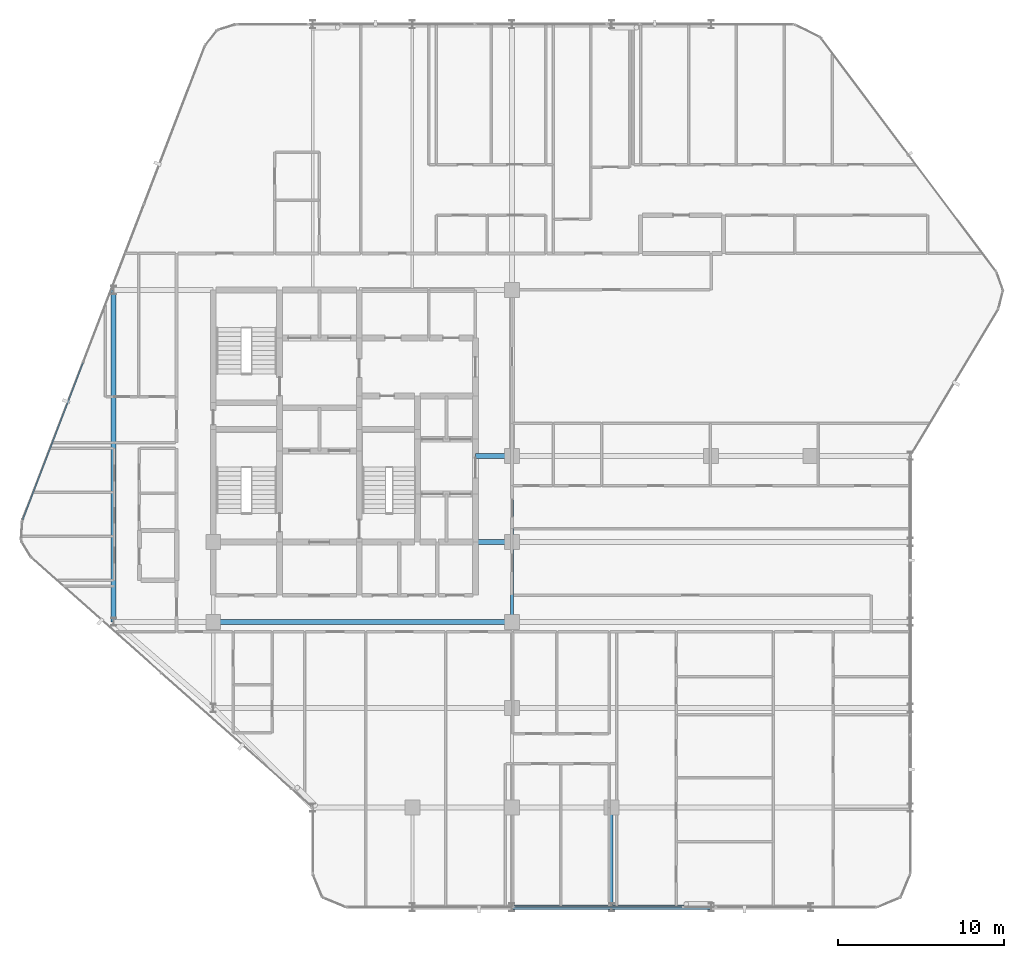
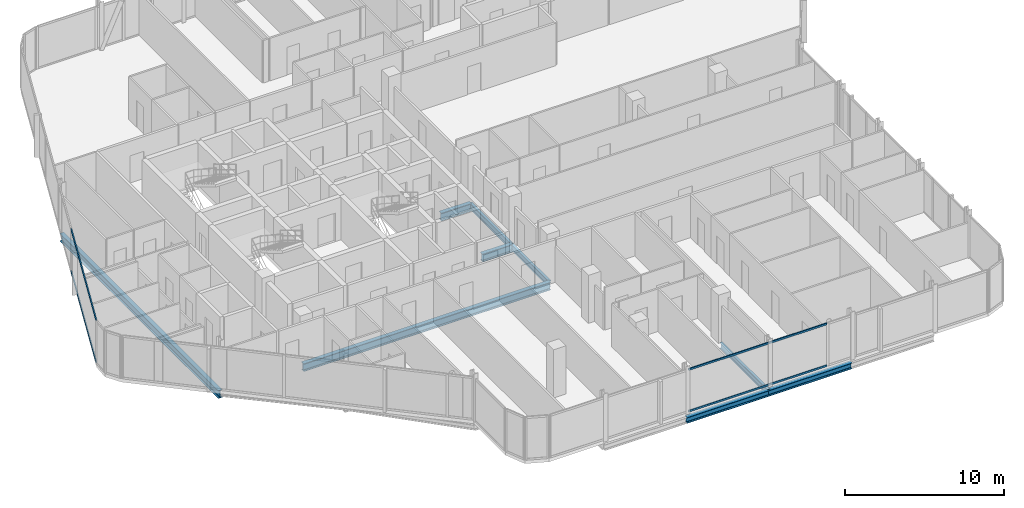
# One storey, part 8 of 31: 9 beams, 4 members, 2 elements without a shape of their own.
"""IFC4 building model written with IfcOpenShell, lengths in metres."""

from ifc_helpers import new_model, si_unit, direction, frame, origin, origin_2d, place, context, subcontext, project, spatial, hollow_rectangle, i_section, extrude, material, layer, layer_set, material_profile, profile_set, type_object, element, aggregate, save


model = new_model("IFC4")

# Units and contexts
model_context = context("Model", 3, precision=1e-05, world=origin(), true_north=direction((0.0, 1.0)))
body_context = subcontext(model_context, "Body", "Model", "MODEL_VIEW")
ifc_project = project(units=[si_unit("LENGTHUNIT", "METRE"), si_unit("AREAUNIT", "SQUARE_METRE"), si_unit("VOLUMEUNIT", "CUBIC_METRE"), si_unit("PLANEANGLEUNIT", "RADIAN"), si_unit("MASSUNIT", "GRAM", prefix="KILO")], contexts=[model_context])

# Site, building, storey
site_placement = place(None, origin())
site = spatial("IfcSite", under=ifc_project, at=site_placement, CompositionType="ELEMENT")
building_placement = place(site_placement, origin())
building = spatial("IfcBuilding", under=site, at=building_placement, Name="Keshet Zoharim Tower", CompositionType="ELEMENT")
storey_placement = place(building_placement, frame((0.0, 0.0, 155.699951171875)))
storey = spatial("IfcBuildingStorey", under=building, at=storey_placement, Name="L38", CompositionType="ELEMENT", Elevation=155.699951171875)

# Beams
ifc_material_1 = material(Name="Steel S355", Category="steel")
ifc_material_profile_1 = material_profile(ifc_material_1, i_section(OverallWidth=0.300048828125, OverallDepth=0.60009765625, WebThickness=0.015380859375, FlangeThickness=0.030029296875, FilletRadius=0.027099609375, at=origin_2d()), Name="HEB600")
ifc_profile_set_1 = profile_set([ifc_material_profile_1], Name="Steel S355")
beam_type_1 = type_object("IfcBeamType", Name="BM-CLK-HB600", PredefinedType="BEAM", material=ifc_profile_set_1)
for number, where, z_axis, x_axis, name in (
    (1, (30.800048828125, 22.699951171875, -0.614990234375), (1.0, 0.0, 0.0), (0.0, 1.0, 0.0), "L38 Core Wall Link Girder 01"),
    (2, (30.800048828125, 27.89990234375, -0.614990234375), (1.0, 0.0, 0.0), (0.0, 1.0, 0.0), "L38 Core Wall Link Girder 02"),
):
    element("IfcBeam", number, at=place(storey_placement, frame(where, z_axis=z_axis, x_axis=x_axis)), inside=storey, type_object=beam_type_1, Name=name, PredefinedType="BEAM", context=body_context, shape_type="SweptSolid", body=[
        extrude(i_section(OverallWidth=0.300048828125, OverallDepth=0.60009765625, WebThickness=0.015380859375, FlangeThickness=0.030029296875, FilletRadius=0.027099609375, at=origin_2d()), origin(), (0.0, 0.0, 1.0), 2.199951171875),
    ])
ifc_material_profile_2 = material_profile(ifc_material_1, i_section(OverallWidth=0.300048828125, OverallDepth=0.60009765625, WebThickness=0.015380859375, FlangeThickness=0.030029296875, FilletRadius=0.027099609375, at=origin_2d()), Name="HEB600")
ifc_profile_set_2 = profile_set([ifc_material_profile_2], Name="Steel S355")
beam_type_2 = type_object("IfcBeamType", Name="BM-LNG-HB600", PredefinedType="BEAM", material=ifc_profile_set_2)
beam_1_placement = place(storey_placement, frame((15.0, 17.89990234375, -0.614990234375), z_axis=(1.0, 0.0, 0.0), x_axis=(0.0, 1.0, 0.0)))
element("IfcBeam", 3, at=beam_1_placement, inside=storey, type_object=beam_type_2, Name="L38 Primary Girder X-012", PredefinedType="BEAM", context=body_context, shape_type="SweptSolid", body=[
    extrude(i_section(OverallWidth=0.300048828125, OverallDepth=0.60009765625, WebThickness=0.015380859375, FlangeThickness=0.030029296875, FilletRadius=0.027099609375, at=origin_2d()), origin(), (0.0, 0.0, 1.0), 18.0),
])
beam_2_placement = place(storey_placement, frame((9.0, 17.89990234375, -0.614990234375), z_axis=(0.0, 1.0, 0.0), x_axis=(-1.0, 0.0, 0.0)))
element("IfcBeam", 4, at=beam_2_placement, inside=storey, type_object=beam_type_2, Name="L38 Primary Girder Y-001", PredefinedType="BEAM", context=body_context, shape_type="SweptSolid", body=[
    extrude(i_section(OverallWidth=0.300048828125, OverallDepth=0.60009765625, WebThickness=0.015380859375, FlangeThickness=0.030029296875, FilletRadius=0.027099609375, at=origin_2d()), origin(), (0.0, 0.0, 1.0), 20.0),
])
ifc_material_profile_3 = material_profile(ifc_material_1, i_section(OverallWidth=0.18994140625, OverallDepth=0.449951171875, WebThickness=0.009521484375, FlangeThickness=0.0146484375, FilletRadius=0.02099609375, at=origin_2d()), Name="IPE450")
ifc_profile_set_3 = profile_set([ifc_material_profile_3], Name="Steel S355")
beam_type_3 = type_object("IfcBeamType", Name="BM-PRI-IP450", PredefinedType="BEAM", material=ifc_profile_set_3)
beam_3_placement = place(storey_placement, frame((33.0, 17.89990234375, -0.5400390625), z_axis=(0.0, 1.0, 0.0), x_axis=(-1.0, 0.0, 0.0)))
element("IfcBeam", 5, at=beam_3_placement, inside=storey, type_object=beam_type_3, Name="L38 Primary Girder Y-008", PredefinedType="BEAM", context=body_context, shape_type="SweptSolid", body=[
    extrude(i_section(OverallWidth=0.18994140625, OverallDepth=0.449951171875, WebThickness=0.009521484375, FlangeThickness=0.0146484375, FilletRadius=0.02099609375, at=origin_2d()), origin(), (0.0, 0.0, 1.0), 4.800048828125),
])
beam_4_placement = place(storey_placement, frame((33.0, 22.699951171875, -0.5400390625), z_axis=(0.0, 1.0, 0.0), x_axis=(-1.0, 0.0, 0.0)))
element("IfcBeam", 6, at=beam_4_placement, inside=storey, type_object=beam_type_3, Name="L38 Primary Girder Y-009", PredefinedType="BEAM", context=body_context, shape_type="SweptSolid", body=[
    extrude(i_section(OverallWidth=0.18994140625, OverallDepth=0.449951171875, WebThickness=0.009521484375, FlangeThickness=0.0146484375, FilletRadius=0.02099609375, at=origin_2d()), origin(), (0.0, 0.0, 1.0), 5.199951171875),
])
beam_5_placement = place(storey_placement, frame((39.0, 0.699951171875, -0.5400390625), z_axis=(0.0, 1.0, 0.0), x_axis=(-1.0, 0.0, 0.0)))
element("IfcBeam", 7, at=beam_5_placement, inside=storey, type_object=beam_type_3, Name="L38 Primary Girder Y-012", PredefinedType="BEAM", context=body_context, shape_type="SweptSolid", body=[
    extrude(i_section(OverallWidth=0.18994140625, OverallDepth=0.449951171875, WebThickness=0.009521484375, FlangeThickness=0.0146484375, FilletRadius=0.02099609375, at=origin_2d()), origin(), (0.0, 0.0, 1.0), 6.0),
])
ifc_material_profile_4 = material_profile(ifc_material_1, i_section(OverallWidth=0.300048828125, OverallDepth=0.449951171875, WebThickness=0.013916015625, FlangeThickness=0.02587890625, FilletRadius=0.027099609375, at=origin_2d()), Name="HEB450")
ifc_profile_set_4 = profile_set([ifc_material_profile_4], Name="Steel S355")
beam_type_4 = type_object("IfcBeamType", Name="BM-WEB-HB450", PredefinedType="BEAM", material=ifc_profile_set_4)
for number, where, z_axis, x_axis, name in (
    (8, (33.0, 0.699951171875, -0.5400390625), (1.0, 0.0, 0.0), (0.0, 1.0, 0.0), "L38 Primary Girder X-002"),
    (9, (39.0, 0.699951171875, -0.5400390625), (1.0, 0.0, 0.0), (0.0, 1.0, 0.0), "L38 Primary Girder X-003"),
):
    element("IfcBeam", number, at=place(storey_placement, frame(where, z_axis=z_axis, x_axis=x_axis)), inside=storey, type_object=beam_type_4, Name=name, PredefinedType="BEAM", context=body_context, shape_type="SweptSolid", body=[
        extrude(i_section(OverallWidth=0.300048828125, OverallDepth=0.449951171875, WebThickness=0.013916015625, FlangeThickness=0.02587890625, FilletRadius=0.027099609375, at=origin_2d()), origin(), (0.0, 0.0, 1.0), 6.0),
    ])

# Curtain wall, members
ifc_material_2 = material(Name="Aluminium 6063-T6", Category="aluminium")
ifc_layer = layer(ifc_material_2, 0.159912109375)
ifc_layer_set = layer_set([ifc_layer], Name="Aluminium 6063-T6")
curtain_wall_type = type_object("IfcCurtainWallType", Name="CW-SYS-03", PredefinedType="NOTDEFINED", material=ifc_layer_set)
curtain_wall_1_placement = place(storey_placement, origin())
curtain_wall_1 = element("IfcCurtainWall", 10, at=curtain_wall_1_placement, inside=storey, type_object=curtain_wall_type, Name="L38 Unitised Curtain Wall 03 Part 3", PredefinedType="NOTDEFINED")
ifc_material_profile_5 = material_profile(ifc_material_2, hollow_rectangle(XDim=0.080078125, YDim=0.139892578125, WallThickness=0.00390625, at=origin_2d()), Name="TRN-80x140")
ifc_profile_set_5 = profile_set([ifc_material_profile_5], Name="Aluminium 6063-T6")
member_type = type_object("IfcMemberType", Name="CWT-T14", PredefinedType="USERDEFINED", material=ifc_profile_set_5)
member_1_placement = place(storey_placement, frame((43.252685546875, 0.699951171875, 0.03515625), z_axis=(-1.0, 0.0, 0.0), x_axis=(0.0, -1.0, 0.0)))
member_1 = element("IfcMember", 11, at=member_1_placement, type_object=member_type, Name="CW-03 transom 1.1", ObjectType="TRANSOM", PredefinedType="USERDEFINED", context=body_context, shape_type="SweptSolid", body=[
    extrude(hollow_rectangle(XDim=0.080078125, YDim=0.139892578125, WallThickness=0.00390625, at=origin_2d()), origin(), (0.0, 0.0, 1.0), 10.09130859375),
])
member_2_placement = place(storey_placement, frame((43.252685546875, 0.699951171875, 3.2451171875), z_axis=(-1.0, 0.0, 0.0), x_axis=(0.0, -1.0, 0.0)))
member_2 = element("IfcMember", 12, at=member_2_placement, type_object=member_type, Name="CW-03 transom 1.2", ObjectType="TRANSOM", PredefinedType="USERDEFINED", context=body_context, shape_type="SweptSolid", body=[
    extrude(hollow_rectangle(XDim=0.080078125, YDim=0.139892578125, WallThickness=0.00390625, at=origin_2d()), origin(), (0.0, 0.0, 1.0), 10.09130859375),
])
aggregate(curtain_wall_1, [member_1, member_2])

curtain_wall_2_placement = place(storey_placement, origin())
curtain_wall_2 = element("IfcCurtainWall", 13, at=curtain_wall_2_placement, inside=storey, type_object=curtain_wall_type, Name="L38 Unitised Curtain Wall 10", PredefinedType="NOTDEFINED")
member_3_placement = place(storey_placement, frame((3.522216796875, 24.058349609375, 0.03515625), z_axis=(0.358993631387, 0.93334000912, 0.0), x_axis=(-0.93334000912, 0.358993631387, 0.0)))
member_3 = element("IfcMember", 14, at=member_3_placement, type_object=member_type, Name="CW-03 transom 1.1", ObjectType="TRANSOM", PredefinedType="USERDEFINED", context=body_context, shape_type="SweptSolid", body=[
    extrude(hollow_rectangle(XDim=0.080078125, YDim=0.139892578125, WallThickness=0.00390625, at=origin_2d()), origin(), (0.0, 0.0, 1.0), 10.1181640625),
])
member_4_placement = place(storey_placement, frame((3.522216796875, 24.058349609375, 3.2451171875), z_axis=(0.358993631387, 0.93334000912, 0.0), x_axis=(-0.93334000912, 0.358993631387, 0.0)))
member_4 = element("IfcMember", 15, at=member_4_placement, type_object=member_type, Name="CW-03 transom 1.2", ObjectType="TRANSOM", PredefinedType="USERDEFINED", context=body_context, shape_type="SweptSolid", body=[
    extrude(hollow_rectangle(XDim=0.080078125, YDim=0.139892578125, WallThickness=0.00390625, at=origin_2d()), origin(), (0.0, 0.0, 1.0), 10.1181640625),
])
aggregate(curtain_wall_2, [member_3, member_4])

save(model, "model.ifc")
